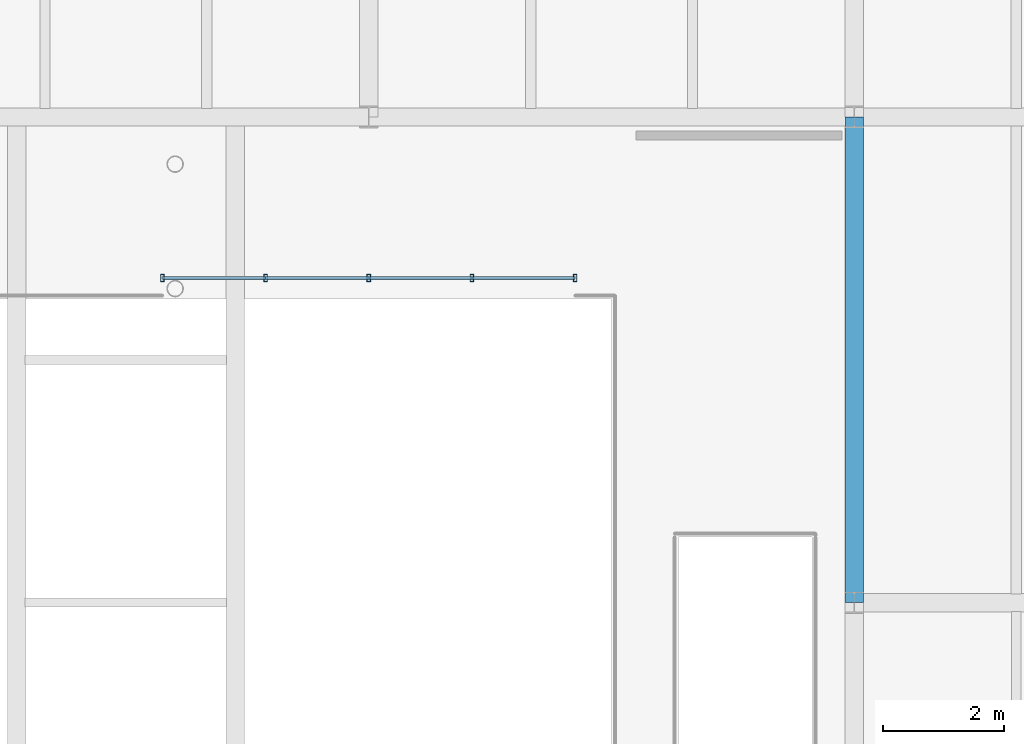
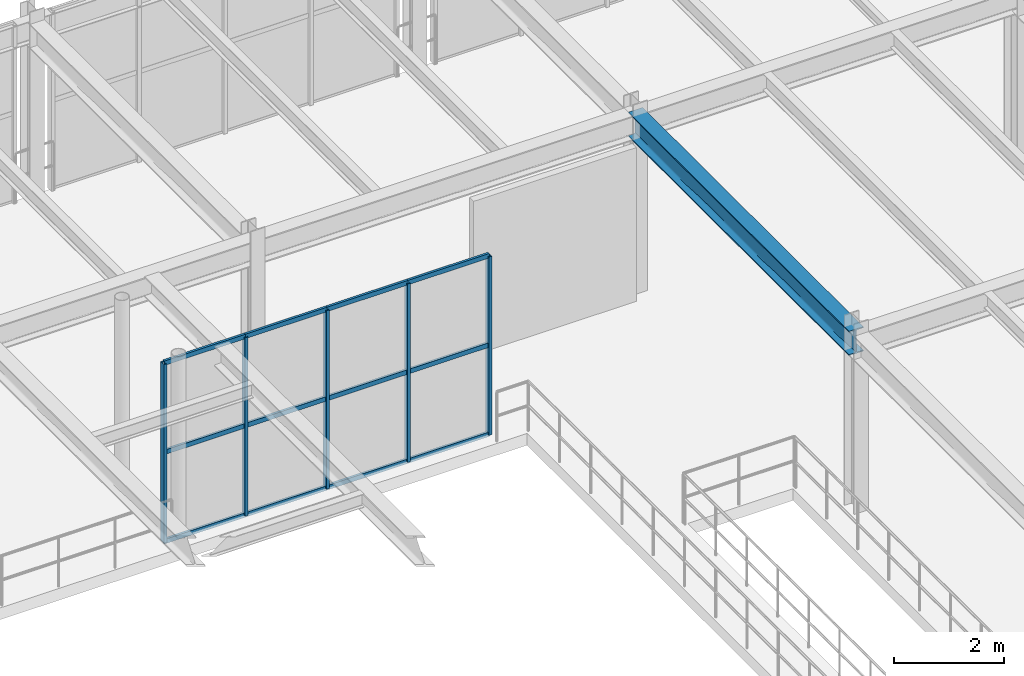
# One storey, part 30 of 122: 17 members, 1 beam, 1 element without a shape of its own.
"""IFC4 building model written with IfcOpenShell, lengths in metres."""

from ifc_helpers import new_model, si_unit, direction, frame, origin, origin_2d, place, context, subcontext, project, spatial, hollow_rectangle, i_section, extrude, material, material_profile, profile_set, type_object, element, aggregate, save


model = new_model("IFC4")

# Units and contexts
model_context = context("Model", 3, precision=1e-05, world=origin(), true_north=direction((0.0, 1.0)))
body_context = subcontext(model_context, "Body", "Model", "MODEL_VIEW")
ifc_project = project(units=[si_unit("LENGTHUNIT", "METRE"), si_unit("AREAUNIT", "SQUARE_METRE"), si_unit("VOLUMEUNIT", "CUBIC_METRE"), si_unit("PLANEANGLEUNIT", "RADIAN"), si_unit("MASSUNIT", "GRAM", prefix="KILO")], contexts=[model_context])

# Site, building, storey
site_placement = place(None, origin())
site = spatial("IfcSite", under=ifc_project, at=site_placement, CompositionType="ELEMENT")
building_placement = place(site_placement, origin())
building = spatial("IfcBuilding", under=site, at=building_placement, Name="Sundkrona Museum", CompositionType="ELEMENT")
storey_placement = place(building_placement, frame((0.0, 0.0, 5.39990234375)))
storey = spatial("IfcBuildingStorey", under=building, at=storey_placement, Name="L01", CompositionType="ELEMENT", Elevation=5.39990234375)

# Beam
ifc_material_1 = material(Name="Steel S355J2", Category="steel")
ifc_material_profile_1 = material_profile(ifc_material_1, i_section(OverallWidth=0.300048828125, OverallDepth=0.5400390625, WebThickness=0.012451171875, FlangeThickness=0.02392578125, FilletRadius=0.027099609375, at=origin_2d()), Name="HEA 550")
ifc_profile_set_1 = profile_set([ifc_material_profile_1], Name="Steel S355J2")
beam_type = type_object("IfcBeamType", Name="B-HEA550", PredefinedType="BEAM", material=ifc_profile_set_1)
beam_placement = place(storey_placement, frame((112.0, 24.0, 3.670166015625), z_axis=(0.0, 1.0, 0.0), x_axis=(-1.0, 0.0, 0.0)))
element("IfcBeam", 1, at=beam_placement, inside=storey, type_object=beam_type, Name="L01 Girder Y-1035", PredefinedType="BEAM", context=body_context, shape_type="SweptSolid", body=[
    extrude(i_section(OverallWidth=0.300048828125, OverallDepth=0.5400390625, WebThickness=0.012451171875, FlangeThickness=0.02392578125, FilletRadius=0.027099609375, at=origin_2d()), origin(), (0.0, 0.0, 1.0), 8.0),
])

# Curtain wall, members
ifc_material_2 = material(Name="Unitised Aluminium-Steel and Ceramic-Clad Curtain Walling", Category="steel")
curtain_wall_type = type_object("IfcCurtainWallType", Name="CW-IN-68x36", PredefinedType="NOTDEFINED", material=ifc_material_2)
curtain_wall_placement = place(storey_placement, origin())
curtain_wall = element("IfcCurtainWall", 2, at=curtain_wall_placement, inside=storey, type_object=curtain_wall_type, Name="L01 Curtain Wall CW-L01-042", PredefinedType="NOTDEFINED")
ifc_material_3 = material(Name="Aluminium EN AW-6060 T66", Category="aluminium")
ifc_material_profile_2 = material_profile(ifc_material_3, hollow_rectangle(XDim=0.06005859375, YDim=0.1201171875, WallThickness=0.0048828125, at=origin_2d()), Name="RHS 120x60x5.0")
ifc_profile_set_2 = profile_set([ifc_material_profile_2], Name="Aluminium EN AW-6060 T66")
member_type_1 = type_object("IfcMemberType", Name="ML-120", PredefinedType="MULLION", material=ifc_profile_set_2)
member_1_placement = place(storey_placement, frame((100.60009765625, 29.35009765625, -0.00390625), z_axis=(0.0, 0.0, 1.0), x_axis=(1.0, 0.0, 0.0)))
member_1 = element("IfcMember", 3, at=member_1_placement, type_object=member_type_1, Name="CW-L01-042 Mullion 01", PredefinedType="MULLION", context=body_context, shape_type="SweptSolid", body=[
    extrude(hollow_rectangle(XDim=0.06005859375, YDim=0.1201171875, WallThickness=0.0048828125, at=origin_2d()), origin(), (0.0, 0.0, 1.0), 3.947998046875),
])
member_2_placement = place(storey_placement, frame((102.300048828125, 29.35009765625, -0.00390625), z_axis=(0.0, 0.0, 1.0), x_axis=(1.0, 0.0, 0.0)))
member_2 = element("IfcMember", 4, at=member_2_placement, type_object=member_type_1, Name="CW-L01-042 Mullion 02", PredefinedType="MULLION", context=body_context, shape_type="SweptSolid", body=[
    extrude(hollow_rectangle(XDim=0.06005859375, YDim=0.1201171875, WallThickness=0.0048828125, at=origin_2d()), origin(), (0.0, 0.0, 1.0), 3.947998046875),
])
member_3_placement = place(storey_placement, frame((104.0, 29.35009765625, -0.00390625), z_axis=(0.0, 0.0, 1.0), x_axis=(1.0, 0.0, 0.0)))
member_3 = element("IfcMember", 5, at=member_3_placement, type_object=member_type_1, Name="CW-L01-042 Mullion 03", PredefinedType="MULLION", context=body_context, shape_type="SweptSolid", body=[
    extrude(hollow_rectangle(XDim=0.06005859375, YDim=0.1201171875, WallThickness=0.0048828125, at=origin_2d()), origin(), (0.0, 0.0, 1.0), 3.947998046875),
])
member_4_placement = place(storey_placement, frame((105.699951171875, 29.35009765625, -0.00390625), z_axis=(0.0, 0.0, 1.0), x_axis=(1.0, 0.0, 0.0)))
member_4 = element("IfcMember", 6, at=member_4_placement, type_object=member_type_1, Name="CW-L01-042 Mullion 04", PredefinedType="MULLION", context=body_context, shape_type="SweptSolid", body=[
    extrude(hollow_rectangle(XDim=0.06005859375, YDim=0.1201171875, WallThickness=0.0048828125, at=origin_2d()), origin(), (0.0, 0.0, 1.0), 3.947998046875),
])
member_5_placement = place(storey_placement, frame((107.39990234375, 29.35009765625, -0.00390625), z_axis=(0.0, 0.0, 1.0), x_axis=(1.0, 0.0, 0.0)))
member_5 = element("IfcMember", 7, at=member_5_placement, type_object=member_type_1, Name="CW-L01-042 Mullion 05", PredefinedType="MULLION", context=body_context, shape_type="SweptSolid", body=[
    extrude(hollow_rectangle(XDim=0.06005859375, YDim=0.1201171875, WallThickness=0.0048828125, at=origin_2d()), origin(), (0.0, 0.0, 1.0), 3.947998046875),
])
ifc_material_profile_3 = material_profile(ifc_material_3, hollow_rectangle(XDim=0.050048828125, YDim=0.10009765625, WallThickness=0.0048828125, at=origin_2d()), Name="RHS 100x50x5.0")
ifc_profile_set_3 = profile_set([ifc_material_profile_3], Name="Aluminium EN AW-6060 T66")
member_type_2 = type_object("IfcMemberType", Name="TR-100", PredefinedType="USERDEFINED", material=ifc_profile_set_3)
member_6_placement = place(storey_placement, frame((100.60009765625, 29.35009765625, -0.00390625), z_axis=(1.0, 0.0, 0.0), x_axis=(0.0, 1.0, 0.0)))
member_6 = element("IfcMember", 8, at=member_6_placement, type_object=member_type_2, Name="CW-L01-042 Transom 01", ObjectType="TRANSOM", PredefinedType="USERDEFINED", context=body_context, shape_type="SweptSolid", body=[
    extrude(hollow_rectangle(XDim=0.050048828125, YDim=0.10009765625, WallThickness=0.0048828125, at=origin_2d()), origin(), (0.0, 0.0, 1.0), 1.699951171875),
])
member_7_placement = place(storey_placement, frame((100.60009765625, 29.35009765625, 1.97021484375), z_axis=(1.0, 0.0, 0.0), x_axis=(0.0, 1.0, 0.0)))
member_7 = element("IfcMember", 9, at=member_7_placement, type_object=member_type_2, Name="CW-L01-042 Transom 02", ObjectType="TRANSOM", PredefinedType="USERDEFINED", context=body_context, shape_type="SweptSolid", body=[
    extrude(hollow_rectangle(XDim=0.050048828125, YDim=0.10009765625, WallThickness=0.0048828125, at=origin_2d()), origin(), (0.0, 0.0, 1.0), 1.699951171875),
])
member_8_placement = place(storey_placement, frame((100.60009765625, 29.35009765625, 3.944091796875), z_axis=(1.0, 0.0, 0.0), x_axis=(0.0, 1.0, 0.0)))
member_8 = element("IfcMember", 10, at=member_8_placement, type_object=member_type_2, Name="CW-L01-042 Transom 03", ObjectType="TRANSOM", PredefinedType="USERDEFINED", context=body_context, shape_type="SweptSolid", body=[
    extrude(hollow_rectangle(XDim=0.050048828125, YDim=0.10009765625, WallThickness=0.0048828125, at=origin_2d()), origin(), (0.0, 0.0, 1.0), 1.699951171875),
])
member_9_placement = place(storey_placement, frame((102.300048828125, 29.35009765625, -0.00390625), z_axis=(1.0, 0.0, 0.0), x_axis=(0.0, 1.0, 0.0)))
member_9 = element("IfcMember", 11, at=member_9_placement, type_object=member_type_2, Name="CW-L01-042 Transom 04", ObjectType="TRANSOM", PredefinedType="USERDEFINED", context=body_context, shape_type="SweptSolid", body=[
    extrude(hollow_rectangle(XDim=0.050048828125, YDim=0.10009765625, WallThickness=0.0048828125, at=origin_2d()), origin(), (0.0, 0.0, 1.0), 1.699951171875),
])
member_10_placement = place(storey_placement, frame((102.300048828125, 29.35009765625, 1.97021484375), z_axis=(1.0, 0.0, 0.0), x_axis=(0.0, 1.0, 0.0)))
member_10 = element("IfcMember", 12, at=member_10_placement, type_object=member_type_2, Name="CW-L01-042 Transom 05", ObjectType="TRANSOM", PredefinedType="USERDEFINED", context=body_context, shape_type="SweptSolid", body=[
    extrude(hollow_rectangle(XDim=0.050048828125, YDim=0.10009765625, WallThickness=0.0048828125, at=origin_2d()), origin(), (0.0, 0.0, 1.0), 1.699951171875),
])
member_11_placement = place(storey_placement, frame((102.300048828125, 29.35009765625, 3.944091796875), z_axis=(1.0, 0.0, 0.0), x_axis=(0.0, 1.0, 0.0)))
member_11 = element("IfcMember", 13, at=member_11_placement, type_object=member_type_2, Name="CW-L01-042 Transom 06", ObjectType="TRANSOM", PredefinedType="USERDEFINED", context=body_context, shape_type="SweptSolid", body=[
    extrude(hollow_rectangle(XDim=0.050048828125, YDim=0.10009765625, WallThickness=0.0048828125, at=origin_2d()), origin(), (0.0, 0.0, 1.0), 1.699951171875),
])
member_12_placement = place(storey_placement, frame((104.0, 29.35009765625, -0.00390625), z_axis=(1.0, 0.0, 0.0), x_axis=(0.0, 1.0, 0.0)))
member_12 = element("IfcMember", 14, at=member_12_placement, type_object=member_type_2, Name="CW-L01-042 Transom 07", ObjectType="TRANSOM", PredefinedType="USERDEFINED", context=body_context, shape_type="SweptSolid", body=[
    extrude(hollow_rectangle(XDim=0.050048828125, YDim=0.10009765625, WallThickness=0.0048828125, at=origin_2d()), origin(), (0.0, 0.0, 1.0), 1.699951171875),
])
member_13_placement = place(storey_placement, frame((104.0, 29.35009765625, 1.97021484375), z_axis=(1.0, 0.0, 0.0), x_axis=(0.0, 1.0, 0.0)))
member_13 = element("IfcMember", 15, at=member_13_placement, type_object=member_type_2, Name="CW-L01-042 Transom 08", ObjectType="TRANSOM", PredefinedType="USERDEFINED", context=body_context, shape_type="SweptSolid", body=[
    extrude(hollow_rectangle(XDim=0.050048828125, YDim=0.10009765625, WallThickness=0.0048828125, at=origin_2d()), origin(), (0.0, 0.0, 1.0), 1.699951171875),
])
member_14_placement = place(storey_placement, frame((104.0, 29.35009765625, 3.944091796875), z_axis=(1.0, 0.0, 0.0), x_axis=(0.0, 1.0, 0.0)))
member_14 = element("IfcMember", 16, at=member_14_placement, type_object=member_type_2, Name="CW-L01-042 Transom 09", ObjectType="TRANSOM", PredefinedType="USERDEFINED", context=body_context, shape_type="SweptSolid", body=[
    extrude(hollow_rectangle(XDim=0.050048828125, YDim=0.10009765625, WallThickness=0.0048828125, at=origin_2d()), origin(), (0.0, 0.0, 1.0), 1.699951171875),
])
member_15_placement = place(storey_placement, frame((105.699951171875, 29.35009765625, -0.00390625), z_axis=(1.0, 0.0, 0.0), x_axis=(0.0, 1.0, 0.0)))
member_15 = element("IfcMember", 17, at=member_15_placement, type_object=member_type_2, Name="CW-L01-042 Transom 10", ObjectType="TRANSOM", PredefinedType="USERDEFINED", context=body_context, shape_type="SweptSolid", body=[
    extrude(hollow_rectangle(XDim=0.050048828125, YDim=0.10009765625, WallThickness=0.0048828125, at=origin_2d()), origin(), (0.0, 0.0, 1.0), 1.699951171875),
])
member_16_placement = place(storey_placement, frame((105.699951171875, 29.35009765625, 1.97021484375), z_axis=(1.0, 0.0, 0.0), x_axis=(0.0, 1.0, 0.0)))
member_16 = element("IfcMember", 18, at=member_16_placement, type_object=member_type_2, Name="CW-L01-042 Transom 11", ObjectType="TRANSOM", PredefinedType="USERDEFINED", context=body_context, shape_type="SweptSolid", body=[
    extrude(hollow_rectangle(XDim=0.050048828125, YDim=0.10009765625, WallThickness=0.0048828125, at=origin_2d()), origin(), (0.0, 0.0, 1.0), 1.699951171875),
])
member_17_placement = place(storey_placement, frame((105.699951171875, 29.35009765625, 3.944091796875), z_axis=(1.0, 0.0, 0.0), x_axis=(0.0, 1.0, 0.0)))
member_17 = element("IfcMember", 19, at=member_17_placement, type_object=member_type_2, Name="CW-L01-042 Transom 12", ObjectType="TRANSOM", PredefinedType="USERDEFINED", context=body_context, shape_type="SweptSolid", body=[
    extrude(hollow_rectangle(XDim=0.050048828125, YDim=0.10009765625, WallThickness=0.0048828125, at=origin_2d()), origin(), (0.0, 0.0, 1.0), 1.699951171875),
])
aggregate(curtain_wall, [member_1, member_2, member_3, member_4, member_5, member_6, member_7, member_8, member_9, member_10, member_11, member_12, member_13, member_14, member_15, member_16, member_17])

save(model, "model.ifc")
